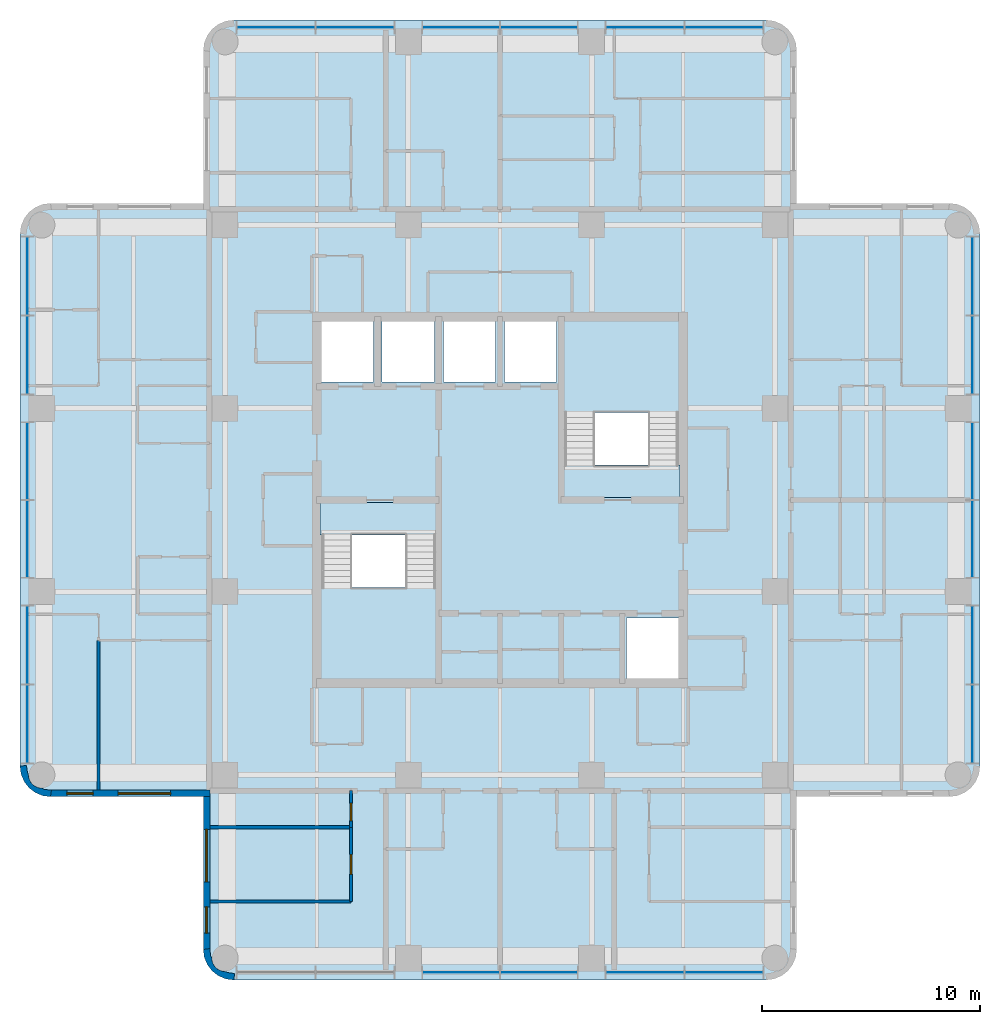
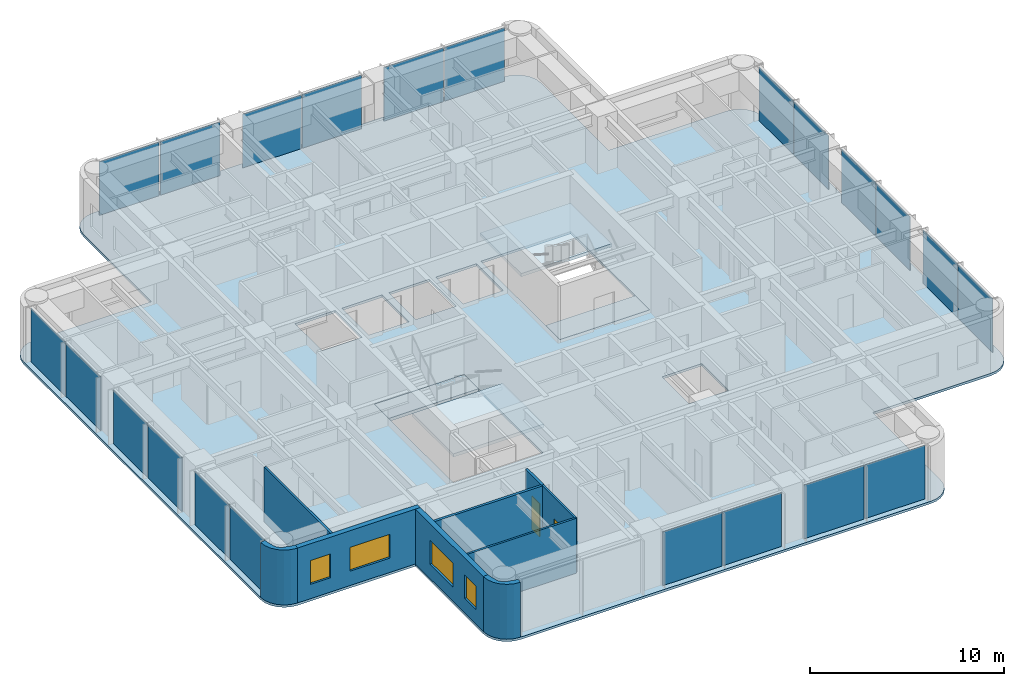
# One storey, part 3 of 10: 22 plates, 9 walls, 5 slabs, 4 windows, 2 doors, 6 openings, 6 elements without a shape of their own.
"""IFC4 building model written with IfcOpenShell, lengths in metres."""

from ifc_helpers import new_model, si_unit, direction, frame, frame_2d, origin, origin_2d, place, context, subcontext, project, spatial, polyline, rectangle, outline, extrude, material, layer, layer_set, type_object, element, fill, aggregate, save


model = new_model("IFC4")

# Units and contexts
model_context = context("Model", 3, precision=1e-05, world=origin(), true_north=direction((0.0, 1.0)))
body_context = subcontext(model_context, "Body", "Model", "MODEL_VIEW")
ifc_project = project(units=[si_unit("LENGTHUNIT", "METRE"), si_unit("AREAUNIT", "SQUARE_METRE"), si_unit("VOLUMEUNIT", "CUBIC_METRE"), si_unit("PLANEANGLEUNIT", "RADIAN"), si_unit("MASSUNIT", "GRAM", prefix="KILO")], contexts=[model_context])

# Site, building, storey
site_placement = place(None, origin())
site = spatial("IfcSite", under=ifc_project, at=site_placement, CompositionType="ELEMENT")
building_placement = place(site_placement, origin())
building = spatial("IfcBuilding", under=site, at=building_placement, Name="Torre Alcanfor", CompositionType="ELEMENT")
storey_placement = place(building_placement, frame((0.0, 0.0, 272.10009765625)))
storey = spatial("IfcBuildingStorey", under=building, at=storey_placement, Name="L71", CompositionType="ELEMENT", Elevation=272.10009765625)

# Curtain wall, plates
ifc_material_1 = material(Name="Aluminium and glass", Category="aluminium")
curtain_wall_type = type_object("IfcCurtainWallType", Name="CW-A unitised apartment glazing with vertical FIN", PredefinedType="NOTDEFINED", material=ifc_material_1)
curtain_wall_1_placement = place(storey_placement, origin())
curtain_wall_1 = element("IfcCurtainWall", 1, at=curtain_wall_1_placement, inside=storey, type_object=curtain_wall_type, Name="Curtain wall CW-A L71 2", PredefinedType="NOTDEFINED")
ifc_material_2 = material(Name="Glass", Category="glass")
ifc_layer_1 = layer(ifc_material_2, 0.028076171875)
ifc_layer_set_1 = layer_set([ifc_layer_1], Name="CW-A clear double glazed unit")
plate_type = type_object("IfcPlateType", Name="CW-A clear double glazed unit", PredefinedType="CURTAIN_PANEL", material=ifc_layer_set_1)
plate_1_placement = place(storey_placement, frame((7.75, 39.664794921875, 0.0), z_axis=(0.0, 0.0, 1.0), x_axis=(0.0, -1.0, 0.0)))
plate_1 = element("IfcPlate", 2, at=plate_1_placement, type_object=plate_type, Name="CW-A panel 1.1.1", PredefinedType="CURTAIN_PANEL", context=body_context, shape_type="SweptSolid", body=[
    extrude(rectangle(XDim=3.55322265625, YDim=0.028076171875, at=origin_2d()), origin(), (0.0, 0.0, 1.0), 3.385009765625),
])
plate_2_placement = place(storey_placement, frame((7.75, 36.046630859375, 0.0), z_axis=(0.0, 0.0, 1.0), x_axis=(0.0, -1.0, 0.0)))
plate_2 = element("IfcPlate", 3, at=plate_2_placement, type_object=plate_type, Name="CW-A panel 1.2.1", PredefinedType="CURTAIN_PANEL", context=body_context, shape_type="SweptSolid", body=[
    extrude(rectangle(XDim=3.55322265625, YDim=0.028076171875, at=origin_2d()), origin(), (0.0, 0.0, 1.0), 3.385009765625),
])
plate_3_placement = place(storey_placement, frame((7.75, 31.18115234375, 0.0), z_axis=(0.0, 0.0, 1.0), x_axis=(0.0, -1.0, 0.0)))
plate_3 = element("IfcPlate", 4, at=plate_3_placement, type_object=plate_type, Name="CW-A panel 2.1.1", PredefinedType="CURTAIN_PANEL", context=body_context, shape_type="SweptSolid", body=[
    extrude(rectangle(XDim=3.49755859375, YDim=0.028076171875, at=origin_2d()), origin(), (0.0, 0.0, 1.0), 3.385009765625),
])
plate_4_placement = place(storey_placement, frame((7.75, 27.61865234375, 0.0), z_axis=(0.0, 0.0, 1.0), x_axis=(0.0, -1.0, 0.0)))
plate_4 = element("IfcPlate", 5, at=plate_4_placement, type_object=plate_type, Name="CW-A panel 2.2.1", PredefinedType="CURTAIN_PANEL", context=body_context, shape_type="SweptSolid", body=[
    extrude(rectangle(XDim=3.49755859375, YDim=0.028076171875, at=origin_2d()), origin(), (0.0, 0.0, 1.0), 3.385009765625),
])
plate_5_placement = place(storey_placement, frame((7.75, 22.75341796875, 0.0), z_axis=(0.0, 0.0, 1.0), x_axis=(0.0, -1.0, 0.0)))
plate_5 = element("IfcPlate", 6, at=plate_5_placement, type_object=plate_type, Name="CW-A panel 3.1.1", PredefinedType="CURTAIN_PANEL", context=body_context, shape_type="SweptSolid", body=[
    extrude(rectangle(XDim=3.55322265625, YDim=0.028076171875, at=origin_2d()), origin(), (0.0, 0.0, 1.0), 3.385009765625),
])
plate_6_placement = place(storey_placement, frame((7.75, 19.135009765625, 0.0), z_axis=(0.0, 0.0, 1.0), x_axis=(0.0, -1.0, 0.0)))
plate_6 = element("IfcPlate", 7, at=plate_6_placement, type_object=plate_type, Name="CW-A panel 3.2.1", PredefinedType="CURTAIN_PANEL", context=body_context, shape_type="SweptSolid", body=[
    extrude(rectangle(XDim=3.55322265625, YDim=0.028076171875, at=origin_2d()), origin(), (0.0, 0.0, 1.0), 3.385009765625),
])
aggregate(curtain_wall_1, [plate_1, plate_2, plate_3, plate_4, plate_5, plate_6])

curtain_wall_2_placement = place(storey_placement, origin())
curtain_wall_2 = element("IfcCurtainWall", 8, at=curtain_wall_2_placement, inside=storey, type_object=curtain_wall_type, Name="Curtain wall CW-A L71 5", PredefinedType="NOTDEFINED")
plate_7_placement = place(storey_placement, frame((27.61865234375, 7.75, 0.0), z_axis=(0.0, 0.0, 1.0), x_axis=(1.0, 0.0, 0.0)))
plate_7 = element("IfcPlate", 9, at=plate_7_placement, type_object=plate_type, Name="CW-A panel 2.1.1", PredefinedType="CURTAIN_PANEL", context=body_context, shape_type="SweptSolid", body=[
    extrude(rectangle(XDim=3.49755859375, YDim=0.028076171875, at=origin_2d()), origin(), (0.0, 0.0, 1.0), 3.385009765625),
])
plate_8_placement = place(storey_placement, frame((31.18115234375, 7.75, 0.0), z_axis=(0.0, 0.0, 1.0), x_axis=(1.0, 0.0, 0.0)))
plate_8 = element("IfcPlate", 10, at=plate_8_placement, type_object=plate_type, Name="CW-A panel 2.2.1", PredefinedType="CURTAIN_PANEL", context=body_context, shape_type="SweptSolid", body=[
    extrude(rectangle(XDim=3.49755859375, YDim=0.028076171875, at=origin_2d()), origin(), (0.0, 0.0, 1.0), 3.385009765625),
])
plate_9_placement = place(storey_placement, frame((36.046630859375, 7.75, 0.0), z_axis=(0.0, 0.0, 1.0), x_axis=(1.0, 0.0, 0.0)))
plate_9 = element("IfcPlate", 11, at=plate_9_placement, type_object=plate_type, Name="CW-A panel 3.1.1", PredefinedType="CURTAIN_PANEL", context=body_context, shape_type="SweptSolid", body=[
    extrude(rectangle(XDim=3.55322265625, YDim=0.028076171875, at=origin_2d()), origin(), (0.0, 0.0, 1.0), 3.385009765625),
])
plate_10_placement = place(storey_placement, frame((39.664794921875, 7.75, 0.0), z_axis=(0.0, 0.0, 1.0), x_axis=(1.0, 0.0, 0.0)))
plate_10 = element("IfcPlate", 12, at=plate_10_placement, type_object=plate_type, Name="CW-A panel 3.2.1", PredefinedType="CURTAIN_PANEL", context=body_context, shape_type="SweptSolid", body=[
    extrude(rectangle(XDim=3.55322265625, YDim=0.028076171875, at=origin_2d()), origin(), (0.0, 0.0, 1.0), 3.385009765625),
])
aggregate(curtain_wall_2, [plate_7, plate_8, plate_9, plate_10])

curtain_wall_3_placement = place(storey_placement, origin())
curtain_wall_3 = element("IfcCurtainWall", 13, at=curtain_wall_3_placement, inside=storey, type_object=curtain_wall_type, Name="Curtain wall CW-A L71 8", PredefinedType="NOTDEFINED")
plate_11_placement = place(storey_placement, frame((51.050048828125, 19.135009765625, 0.0), z_axis=(0.0, 0.0, 1.0), x_axis=(0.0, 1.0, 0.0)))
plate_11 = element("IfcPlate", 14, at=plate_11_placement, type_object=plate_type, Name="CW-A panel 1.1.1", PredefinedType="CURTAIN_PANEL", context=body_context, shape_type="SweptSolid", body=[
    extrude(rectangle(XDim=3.55322265625, YDim=0.028076171875, at=origin_2d()), origin(), (0.0, 0.0, 1.0), 3.385009765625),
])
plate_12_placement = place(storey_placement, frame((51.050048828125, 22.75341796875, 0.0), z_axis=(0.0, 0.0, 1.0), x_axis=(0.0, 1.0, 0.0)))
plate_12 = element("IfcPlate", 15, at=plate_12_placement, type_object=plate_type, Name="CW-A panel 1.2.1", PredefinedType="CURTAIN_PANEL", context=body_context, shape_type="SweptSolid", body=[
    extrude(rectangle(XDim=3.55322265625, YDim=0.028076171875, at=origin_2d()), origin(), (0.0, 0.0, 1.0), 3.385009765625),
])
plate_13_placement = place(storey_placement, frame((51.050048828125, 27.61865234375, 0.0), z_axis=(0.0, 0.0, 1.0), x_axis=(0.0, 1.0, 0.0)))
plate_13 = element("IfcPlate", 16, at=plate_13_placement, type_object=plate_type, Name="CW-A panel 2.1.1", PredefinedType="CURTAIN_PANEL", context=body_context, shape_type="SweptSolid", body=[
    extrude(rectangle(XDim=3.49755859375, YDim=0.028076171875, at=origin_2d()), origin(), (0.0, 0.0, 1.0), 3.385009765625),
])
plate_14_placement = place(storey_placement, frame((51.050048828125, 31.18115234375, 0.0), z_axis=(0.0, 0.0, 1.0), x_axis=(0.0, 1.0, 0.0)))
plate_14 = element("IfcPlate", 17, at=plate_14_placement, type_object=plate_type, Name="CW-A panel 2.2.1", PredefinedType="CURTAIN_PANEL", context=body_context, shape_type="SweptSolid", body=[
    extrude(rectangle(XDim=3.49755859375, YDim=0.028076171875, at=origin_2d()), origin(), (0.0, 0.0, 1.0), 3.385009765625),
])
plate_15_placement = place(storey_placement, frame((51.050048828125, 36.046630859375, 0.0), z_axis=(0.0, 0.0, 1.0), x_axis=(0.0, 1.0, 0.0)))
plate_15 = element("IfcPlate", 18, at=plate_15_placement, type_object=plate_type, Name="CW-A panel 3.1.1", PredefinedType="CURTAIN_PANEL", context=body_context, shape_type="SweptSolid", body=[
    extrude(rectangle(XDim=3.55322265625, YDim=0.028076171875, at=origin_2d()), origin(), (0.0, 0.0, 1.0), 3.385009765625),
])
plate_16_placement = place(storey_placement, frame((51.050048828125, 39.664794921875, 0.0), z_axis=(0.0, 0.0, 1.0), x_axis=(0.0, 1.0, 0.0)))
plate_16 = element("IfcPlate", 19, at=plate_16_placement, type_object=plate_type, Name="CW-A panel 3.2.1", PredefinedType="CURTAIN_PANEL", context=body_context, shape_type="SweptSolid", body=[
    extrude(rectangle(XDim=3.55322265625, YDim=0.028076171875, at=origin_2d()), origin(), (0.0, 0.0, 1.0), 3.385009765625),
])
aggregate(curtain_wall_3, [plate_11, plate_12, plate_13, plate_14, plate_15, plate_16])

curtain_wall_4_placement = place(storey_placement, origin())
curtain_wall_4 = element("IfcCurtainWall", 20, at=curtain_wall_4_placement, inside=storey, type_object=curtain_wall_type, Name="Curtain wall CW-A L71 11", PredefinedType="NOTDEFINED")
plate_17_placement = place(storey_placement, frame((39.664794921875, 51.050048828125, 0.0), z_axis=(0.0, 0.0, 1.0), x_axis=(-1.0, 0.0, 0.0)))
plate_17 = element("IfcPlate", 21, at=plate_17_placement, type_object=plate_type, Name="CW-A panel 1.1.1", PredefinedType="CURTAIN_PANEL", context=body_context, shape_type="SweptSolid", body=[
    extrude(rectangle(XDim=3.55322265625, YDim=0.028076171875, at=origin_2d()), origin(), (0.0, 0.0, 1.0), 3.385009765625),
])
plate_18_placement = place(storey_placement, frame((36.046630859375, 51.050048828125, 0.0), z_axis=(0.0, 0.0, 1.0), x_axis=(-1.0, 0.0, 0.0)))
plate_18 = element("IfcPlate", 22, at=plate_18_placement, type_object=plate_type, Name="CW-A panel 1.2.1", PredefinedType="CURTAIN_PANEL", context=body_context, shape_type="SweptSolid", body=[
    extrude(rectangle(XDim=3.55322265625, YDim=0.028076171875, at=origin_2d()), origin(), (0.0, 0.0, 1.0), 3.385009765625),
])
plate_19_placement = place(storey_placement, frame((31.18115234375, 51.050048828125, 0.0), z_axis=(0.0, 0.0, 1.0), x_axis=(-1.0, 0.0, 0.0)))
plate_19 = element("IfcPlate", 23, at=plate_19_placement, type_object=plate_type, Name="CW-A panel 2.1.1", PredefinedType="CURTAIN_PANEL", context=body_context, shape_type="SweptSolid", body=[
    extrude(rectangle(XDim=3.49755859375, YDim=0.028076171875, at=origin_2d()), origin(), (0.0, 0.0, 1.0), 3.385009765625),
])
plate_20_placement = place(storey_placement, frame((27.61865234375, 51.050048828125, 0.0), z_axis=(0.0, 0.0, 1.0), x_axis=(-1.0, 0.0, 0.0)))
plate_20 = element("IfcPlate", 24, at=plate_20_placement, type_object=plate_type, Name="CW-A panel 2.2.1", PredefinedType="CURTAIN_PANEL", context=body_context, shape_type="SweptSolid", body=[
    extrude(rectangle(XDim=3.49755859375, YDim=0.028076171875, at=origin_2d()), origin(), (0.0, 0.0, 1.0), 3.385009765625),
])
plate_21_placement = place(storey_placement, frame((22.75341796875, 51.050048828125, 0.0), z_axis=(0.0, 0.0, 1.0), x_axis=(-1.0, 0.0, 0.0)))
plate_21 = element("IfcPlate", 25, at=plate_21_placement, type_object=plate_type, Name="CW-A panel 3.1.1", PredefinedType="CURTAIN_PANEL", context=body_context, shape_type="SweptSolid", body=[
    extrude(rectangle(XDim=3.55322265625, YDim=0.028076171875, at=origin_2d()), origin(), (0.0, 0.0, 1.0), 3.385009765625),
])
plate_22_placement = place(storey_placement, frame((19.135009765625, 51.050048828125, 0.0), z_axis=(0.0, 0.0, 1.0), x_axis=(-1.0, 0.0, 0.0)))
plate_22 = element("IfcPlate", 26, at=plate_22_placement, type_object=plate_type, Name="CW-A panel 3.2.1", PredefinedType="CURTAIN_PANEL", context=body_context, shape_type="SweptSolid", body=[
    extrude(rectangle(XDim=3.55322265625, YDim=0.028076171875, at=origin_2d()), origin(), (0.0, 0.0, 1.0), 3.385009765625),
])
aggregate(curtain_wall_4, [plate_17, plate_18, plate_19, plate_20, plate_21, plate_22])

# Slab
ifc_material_3 = material(Name="Concrete f'c 35 MPa", Category="concrete")
ifc_layer_2 = layer(ifc_material_3, 0.14990234375)
ifc_layer_set_2 = layer_set([ifc_layer_2], Name="Composite floor 150 on metal deck")
slab_type_1 = type_object("IfcSlabType", Name="Composite floor 150 on metal deck", PredefinedType="FLOOR", material=ifc_layer_set_2)
slab_1_placement = place(storey_placement, frame((0.0, 0.0, -0.150146484375)))
element("IfcSlab", 27, at=slab_1_placement, inside=storey, type_object=slab_type_1, Name="Floor slab L71", PredefinedType="FLOOR", context=body_context, shape_type="SweptSolid", body=[
    extrude(outline(polyline([(15.800048828125, 43.0), (8.800048828125, 43.0), (8.437744140625, 42.952392578125), (8.10009765625, 42.8125), (7.81005859375, 42.58984375), (7.587646484375, 42.300048828125), (7.44775390625, 41.96240234375), (7.39990234375, 41.60009765625), (7.39990234375, 17.199951171875), (7.44775390625, 16.837646484375), (7.587646484375, 16.5), (7.81005859375, 16.210205078125), (8.10009765625, 15.987548828125), (8.437744140625, 15.84765625), (8.800048828125, 15.800048828125), (15.800048828125, 15.800048828125), (15.800048828125, 8.800048828125), (15.84765625, 8.437744140625), (15.987548828125, 8.10009765625), (16.210205078125, 7.81005859375), (16.5, 7.587646484375), (16.837646484375, 7.44775390625), (17.199951171875, 7.39990234375), (41.60009765625, 7.39990234375), (41.96240234375, 7.44775390625), (42.300048828125, 7.587646484375), (42.58984375, 7.81005859375), (42.8125, 8.10009765625), (42.952392578125, 8.437744140625), (43.0, 8.800048828125), (43.0, 15.800048828125), (50.0, 15.800048828125), (50.3623046875, 15.84765625), (50.699951171875, 15.987548828125), (50.989990234375, 16.210205078125), (51.21240234375, 16.5), (51.352294921875, 16.837646484375), (51.39990234375, 17.199951171875), (51.39990234375, 41.60009765625), (51.352294921875, 41.96240234375), (51.21240234375, 42.300048828125), (50.989990234375, 42.58984375), (50.699951171875, 42.8125), (50.3623046875, 42.952392578125), (50.0, 43.0), (43.0, 43.0), (43.0, 50.0), (42.952392578125, 50.3623046875), (42.8125, 50.699951171875), (42.58984375, 50.989990234375), (42.300048828125, 51.21240234375), (41.96240234375, 51.352294921875), (41.60009765625, 51.39990234375), (17.199951171875, 51.39990234375), (16.837646484375, 51.352294921875), (16.5, 51.21240234375), (16.210205078125, 50.989990234375), (15.987548828125, 50.699951171875), (15.84765625, 50.3623046875), (15.800048828125, 50.0), (15.800048828125, 43.0)]), holes=[polyline([(21.14501953125, 21.14501953125), (26.47998046875, 21.14501953125), (26.47998046875, 29.280029296875), (21.14501953125, 29.280029296875), (21.14501953125, 21.14501953125)]), polyline([(32.320068359375, 29.52001953125), (37.655029296875, 29.52001953125), (37.655029296875, 37.655029296875), (32.320068359375, 37.655029296875), (32.320068359375, 29.52001953125)]), polyline([(35.199951171875, 21.22509765625), (37.574951171875, 21.22509765625), (37.574951171875, 24.0), (35.199951171875, 24.0), (35.199951171875, 21.22509765625)]), polyline([(21.22509765625, 34.800048828125), (23.60009765625, 34.800048828125), (23.60009765625, 37.574951171875), (21.22509765625, 37.574951171875), (21.22509765625, 34.800048828125)]), polyline([(24.0, 34.800048828125), (26.39990234375, 34.800048828125), (26.39990234375, 37.574951171875), (24.0, 37.574951171875), (24.0, 34.800048828125)]), polyline([(26.800048828125, 34.800048828125), (29.199951171875, 34.800048828125), (29.199951171875, 37.574951171875), (26.800048828125, 37.574951171875), (26.800048828125, 34.800048828125)]), polyline([(29.60009765625, 34.800048828125), (32.0, 34.800048828125), (32.0, 37.574951171875), (29.60009765625, 37.574951171875), (29.60009765625, 34.800048828125)])]), origin(), (0.0, 0.0, 1.0), 0.150146484375),
])

# Stair, slabs
ifc_material_4 = material(Name="Concrete f'c 35 MPa", Category="concrete")
stair_type_1 = type_object("IfcStairType", Name="Exit stair S1 1400 wide", PredefinedType="HALF_TURN_STAIR", material=ifc_material_4)
stair_1_placement = place(storey_placement, origin())
stair_1 = element("IfcStair", 28, at=stair_1_placement, inside=storey, type_object=stair_type_1, Name="Stair S1 L71 to L72", PredefinedType="HALF_TURN_STAIR")
ifc_material_5 = material(Name="Concrete f'c 35 MPa", Category="concrete")
ifc_layer_3 = layer(ifc_material_5, 0.199951171875)
ifc_layer_set_3 = layer_set([ifc_layer_3], Name="Stair landing 200")
slab_type_2 = type_object("IfcSlabType", Name="Stair landing 200", PredefinedType="LANDING", material=ifc_layer_set_3)
slab_2_placement = place(storey_placement, frame((0.0, 0.0, -0.2001953125)))
slab_2 = element("IfcSlab", 29, at=slab_2_placement, type_object=slab_type_2, Name="S1 landing 1", PredefinedType="LANDING", context=body_context, shape_type="SweptSolid", body=[
    extrude(outline(polyline([(21.14501953125, 27.800048828125), (26.47998046875, 27.800048828125), (26.47998046875, 29.280029296875), (21.14501953125, 29.280029296875), (21.14501953125, 27.800048828125)])), origin(), (0.0, 0.0, 1.0), 0.2001953125),
])
slab_3_placement = place(storey_placement, frame((0.0, 0.0, 1.599853515625)))
slab_3 = element("IfcSlab", 30, at=slab_3_placement, type_object=slab_type_2, Name="S1 landing 2", PredefinedType="LANDING", context=body_context, shape_type="SweptSolid", body=[
    extrude(outline(polyline([(21.14501953125, 21.14501953125), (26.530029296875, 21.14501953125), (26.530029296875, 25.3798828125), (21.14501953125, 25.3798828125), (21.14501953125, 21.14501953125)])), origin(), (0.0, 0.0, 1.0), 0.199951171875),
])
aggregate(stair_1, [slab_2, slab_3])

ifc_material_6 = material(Name="Concrete f'c 35 MPa", Category="concrete")
stair_type_2 = type_object("IfcStairType", Name="Exit stair S2 1400 wide", PredefinedType="HALF_TURN_STAIR", material=ifc_material_6)
stair_2_placement = place(storey_placement, origin())
stair_2 = element("IfcStair", 31, at=stair_2_placement, inside=storey, type_object=stair_type_2, Name="Stair S2 L71 to L72", PredefinedType="HALF_TURN_STAIR")
slab_4_placement = place(storey_placement, frame((0.0, 0.0, -0.2001953125)))
slab_4 = element("IfcSlab", 32, at=slab_4_placement, type_object=slab_type_2, Name="S2 landing 1", PredefinedType="LANDING", context=body_context, shape_type="SweptSolid", body=[
    extrude(outline(polyline([(32.320068359375, 29.52001953125), (37.655029296875, 29.52001953125), (37.655029296875, 31.0), (32.320068359375, 31.0), (32.320068359375, 29.52001953125)])), origin(), (0.0, 0.0, 1.0), 0.2001953125),
])
slab_5_placement = place(storey_placement, frame((0.0, 0.0, 1.599853515625)))
slab_5 = element("IfcSlab", 33, at=slab_5_placement, type_object=slab_type_2, Name="S2 landing 2", PredefinedType="LANDING", context=body_context, shape_type="SweptSolid", body=[
    extrude(outline(polyline([(32.27001953125, 33.419921875), (37.655029296875, 33.419921875), (37.655029296875, 37.655029296875), (32.27001953125, 37.655029296875), (32.27001953125, 33.419921875)])), origin(), (0.0, 0.0, 1.0), 0.199951171875),
])
aggregate(stair_2, [slab_4, slab_5])

# Wall
ifc_material_7 = material(Name="Gypsum board on steel studs", Category="steel")
ifc_layer_4 = layer(ifc_material_7, 0.1201171875)
ifc_layer_set_4 = layer_set([ifc_layer_4], Name="Apartment partition 120")
wall_type_1 = type_object("IfcWallType", Name="Apartment partition 120", PredefinedType="PARTITIONING", material=ifc_layer_set_4)
wall_1_placement = place(storey_placement, frame((16.10009765625, 11.0, 0.0), z_axis=(0.0, 0.0, 1.0), x_axis=(1.0, 0.0, 0.0)))
element("IfcWall", 34, at=wall_1_placement, inside=storey, type_object=wall_type_1, Name="Partition L71-S2B-LIVING / L71-S2B-MASTER", PredefinedType="PARTITIONING", context=body_context, shape_type="SweptSolid", body=[
    extrude(rectangle(XDim=6.470947265625, YDim=0.1201171875, at=frame_2d((3.2353515625, 0.0))), origin(), (0.0, 0.0, 1.0), 3.449951171875),
])

# Wall, opening, door
wall_2_placement = place(storey_placement, frame((22.571044921875, 11.0, 0.0), z_axis=(0.0, 0.0, 1.0), x_axis=(0.0, 1.0, 0.0)))
wall_2 = element("IfcWall", 35, at=wall_2_placement, inside=storey, type_object=wall_type_1, Name="Partition L71-S2B-LIVING / L71-S2B-MASTER", PredefinedType="PARTITIONING", context=body_context, shape_type="SweptSolid", body=[
    extrude(rectangle(XDim=3.39990234375, YDim=0.1201171875, at=frame_2d((1.699951171875, 0.0))), origin(), (0.0, 0.0, 1.0), 3.449951171875),
])
opening_1_placement = place(wall_2_placement, frame((1.25, 0.0, 0.0)))
opening_1 = element("IfcOpeningElement", 36, at=opening_1_placement, cuts=wall_2, Name="Opening D-R1", PredefinedType="OPENING", context=body_context, shape_type="SweptSolid", body=[
    extrude(rectangle(XDim=0.89990234375, YDim=2.10009765625, at=frame_2d((0.449951171875, 1.050048828125))), frame((0.0, 0.070068359375, 0.0), z_axis=(0.0, -1.0, 0.0), x_axis=(1.0, 0.0, 0.0)), (0.0, 0.0, 1.0), 0.14013671875),
])
ifc_material_8 = material(Name="Timber", Category="wood")
door_type_1 = type_object("IfcDoorType", Name="Internal door 900x2100", OperationType="SINGLE_SWING_LEFT", PredefinedType="DOOR", material=ifc_material_8)
door_1_placement = place(opening_1_placement, origin())
door_1 = element("IfcDoor", 37, at=door_1_placement, inside=storey, type_object=door_type_1, Name="Door L71-S2B master", OperationType="SINGLE_SWING_LEFT", OverallHeight=2.10009765625, OverallWidth=0.89990234375, PredefinedType="DOOR", context=body_context, shape_type="SweptSolid", body=[
    extrude(rectangle(XDim=0.89990234375, YDim=2.10009765625, at=frame_2d((0.449951171875, 1.050048828125))), frame((0.0, 0.02490234375, 0.0), z_axis=(0.0, -1.0, 0.0), x_axis=(1.0, 0.0, 0.0)), (0.0, 0.0, 1.0), 0.050048828125),
])
fill(opening_1, door_1)

# Wall
wall_3_placement = place(storey_placement, frame((11.0, 22.970947265625, 0.0), z_axis=(0.0, 0.0, 1.0), x_axis=(0.0, -1.0, 0.0)))
element("IfcWall", 38, at=wall_3_placement, inside=storey, type_object=wall_type_1, Name="Partition L71-WX-BED2 / L71-WX-MASTER", PredefinedType="PARTITIONING", context=body_context, shape_type="SweptSolid", body=[
    extrude(rectangle(XDim=6.870849609375, YDim=0.1201171875, at=frame_2d((3.435546875, 0.0))), origin(), (0.0, 0.0, 1.0), 3.449951171875),
])

# Wall, openings, windows
ifc_material_9 = material(Name="Limestone cladding", Category="masonry")
ifc_layer_5 = layer(ifc_material_9, 0.0400390625, Name="Facing")
ifc_material_10 = material(Name="Ventilated air cavity")
ifc_layer_6 = layer(ifc_material_10, 0.02001953125, ventilated=True, Name="Ventilated joint")
ifc_material_11 = material(Name="Mineral wool insulation", Category="insulation")
ifc_layer_7 = layer(ifc_material_11, 0.10009765625, Name="Insulation")
ifc_material_12 = material(Name="Concrete f'c 35 MPa", Category="concrete")
ifc_layer_8 = layer(ifc_material_12, 0.139892578125, Name="Backing")
ifc_layer_set_5 = layer_set([ifc_layer_5, ifc_layer_6, ifc_layer_7, ifc_layer_8], Name="External wall stone-clad 300")
wall_type_2 = type_object("IfcWallType", Name="External wall stone-clad 300", PredefinedType="SOLIDWALL", material=ifc_layer_set_5)
wall_4_placement = place(storey_placement, frame((8.800048828125, 15.949951171875, 0.0), z_axis=(0.0, 0.0, 1.0), x_axis=(1.0, 0.0, 0.0)))
wall_4 = element("IfcWall", 39, at=wall_4_placement, inside=storey, type_object=wall_type_2, Name="External wall L71 3", PredefinedType="SOLIDWALL", context=body_context, shape_type="SweptSolid", body=[
    extrude(rectangle(XDim=7.300048828125, YDim=0.300048828125, at=frame_2d((3.64990234375, 0.0))), origin(), (0.0, 0.0, 1.0), 3.449951171875),
])
opening_2_placement = place(wall_4_placement, frame((3.10009765625, 0.0, 0.89990234375)))
opening_2 = element("IfcOpeningElement", 40, at=opening_2_placement, cuts=wall_4, Name="Opening W1", PredefinedType="OPENING", context=body_context, shape_type="SweptSolid", body=[
    extrude(rectangle(XDim=2.39990234375, YDim=1.5, at=frame_2d((1.199951171875, 0.75))), frame((0.0, 0.159912109375, 0.0), z_axis=(0.0, -1.0, 0.0), x_axis=(1.0, 0.0, 0.0)), (0.0, 0.0, 1.0), 0.320068359375),
])
opening_3_placement = place(wall_4_placement, frame((0.75, 0.0, 0.89990234375)))
opening_3 = element("IfcOpeningElement", 41, at=opening_3_placement, cuts=wall_4, Name="Opening W4", PredefinedType="OPENING", context=body_context, shape_type="SweptSolid", body=[
    extrude(rectangle(XDim=1.199951171875, YDim=1.5, at=frame_2d((0.60009765625, 0.75))), frame((0.0, 0.159912109375, 0.0), z_axis=(0.0, -1.0, 0.0), x_axis=(1.0, 0.0, 0.0)), (0.0, 0.0, 1.0), 0.320068359375),
])
ifc_material_13 = material(Name="Aluminium frame with clear double glazing", Category="aluminium")
window_type_1 = type_object("IfcWindowType", Name="Window bedroom 1200x1500", PartitioningType="SINGLE_PANEL", PredefinedType="WINDOW", material=ifc_material_13)
window_1_placement = place(opening_3_placement, origin())
window_1 = element("IfcWindow", 42, at=window_1_placement, inside=storey, type_object=window_type_1, Name="Window W4 L71-W1", OverallHeight=1.5, OverallWidth=1.199951171875, PartitioningType="SINGLE_PANEL", PredefinedType="WINDOW", context=body_context, shape_type="SweptSolid", body=[
    extrude(rectangle(XDim=1.199951171875, YDim=1.5, at=frame_2d((0.60009765625, 0.75))), frame((0.0, 0.030029296875, 0.0), z_axis=(0.0, -1.0, 0.0), x_axis=(1.0, 0.0, 0.0)), (0.0, 0.0, 1.0), 0.06005859375),
])
fill(opening_3, window_1)
ifc_material_14 = material(Name="Aluminium frame with clear double glazing", Category="aluminium")
window_type_2 = type_object("IfcWindowType", Name="Window bedroom 2400x1500", PartitioningType="SINGLE_PANEL", PredefinedType="WINDOW", material=ifc_material_14)
window_2_placement = place(opening_2_placement, origin())
window_2 = element("IfcWindow", 43, at=window_2_placement, inside=storey, type_object=window_type_2, Name="Window W1 L71-W1", OverallHeight=1.5, OverallWidth=2.39990234375, PartitioningType="SINGLE_PANEL", PredefinedType="WINDOW", context=body_context, shape_type="SweptSolid", body=[
    extrude(rectangle(XDim=2.39990234375, YDim=1.5, at=frame_2d((1.199951171875, 0.75))), frame((0.0, 0.030029296875, 0.0), z_axis=(0.0, -1.0, 0.0), x_axis=(1.0, 0.0, 0.0)), (0.0, 0.0, 1.0), 0.06005859375),
])
fill(opening_2, window_2)

wall_5_placement = place(storey_placement, frame((15.949951171875, 15.800048828125, 0.0), z_axis=(0.0, 0.0, 1.0), x_axis=(0.0, -1.0, 0.0)))
wall_5 = element("IfcWall", 44, at=wall_5_placement, inside=storey, type_object=wall_type_2, Name="External wall L71 4", PredefinedType="SOLIDWALL", context=body_context, shape_type="SweptSolid", body=[
    extrude(rectangle(XDim=7.0, YDim=0.300048828125, at=frame_2d((3.5, 0.0))), origin(), (0.0, 0.0, 1.0), 3.449951171875),
])
opening_4_placement = place(wall_5_placement, frame((1.5, 0.0, 0.89990234375)))
opening_4 = element("IfcOpeningElement", 45, at=opening_4_placement, cuts=wall_5, Name="Opening W1", PredefinedType="OPENING", context=body_context, shape_type="SweptSolid", body=[
    extrude(rectangle(XDim=2.39990234375, YDim=1.5, at=frame_2d((1.199951171875, 0.75))), frame((0.0, 0.159912109375, 0.0), z_axis=(0.0, -1.0, 0.0), x_axis=(1.0, 0.0, 0.0)), (0.0, 0.0, 1.0), 0.320068359375),
])
opening_5_placement = place(wall_5_placement, frame((5.050048828125, 0.0, 0.89990234375)))
opening_5 = element("IfcOpeningElement", 46, at=opening_5_placement, cuts=wall_5, Name="Opening W4", PredefinedType="OPENING", context=body_context, shape_type="SweptSolid", body=[
    extrude(rectangle(XDim=1.199951171875, YDim=1.5, at=frame_2d((0.60009765625, 0.75))), frame((0.0, 0.159912109375, 0.0), z_axis=(0.0, -1.0, 0.0), x_axis=(1.0, 0.0, 0.0)), (0.0, 0.0, 1.0), 0.320068359375),
])
window_3_placement = place(opening_5_placement, origin())
window_3 = element("IfcWindow", 47, at=window_3_placement, inside=storey, type_object=window_type_1, Name="Window W4 L71-S2", OverallHeight=1.5, OverallWidth=1.199951171875, PartitioningType="SINGLE_PANEL", PredefinedType="WINDOW", context=body_context, shape_type="SweptSolid", body=[
    extrude(rectangle(XDim=1.199951171875, YDim=1.5, at=frame_2d((0.60009765625, 0.75))), frame((0.0, 0.030029296875, 0.0), z_axis=(0.0, -1.0, 0.0), x_axis=(1.0, 0.0, 0.0)), (0.0, 0.0, 1.0), 0.06005859375),
])
fill(opening_5, window_3)
window_4_placement = place(opening_4_placement, origin())
window_4 = element("IfcWindow", 48, at=window_4_placement, inside=storey, type_object=window_type_2, Name="Window W1 L71-S2", OverallHeight=1.5, OverallWidth=2.39990234375, PartitioningType="SINGLE_PANEL", PredefinedType="WINDOW", context=body_context, shape_type="SweptSolid", body=[
    extrude(rectangle(XDim=2.39990234375, YDim=1.5, at=frame_2d((1.199951171875, 0.75))), frame((0.0, 0.030029296875, 0.0), z_axis=(0.0, -1.0, 0.0), x_axis=(1.0, 0.0, 0.0)), (0.0, 0.0, 1.0), 0.06005859375),
])
fill(opening_4, window_4)

# Walls
ifc_layer_9 = layer(ifc_material_9, 0.0400390625, Name="Facing")
ifc_layer_10 = layer(ifc_material_10, 0.02001953125, ventilated=True, Name="Ventilated joint")
ifc_layer_11 = layer(ifc_material_11, 0.10009765625, Name="Insulation")
ifc_layer_12 = layer(ifc_material_12, 0.139892578125, Name="Backing")
ifc_layer_set_6 = layer_set([ifc_layer_9, ifc_layer_10, ifc_layer_11, ifc_layer_12], Name="Rounded corner pier stone-clad 300")
wall_type_3 = type_object("IfcWallType", Name="Rounded corner pier stone-clad 300", PredefinedType="SOLIDWALL", material=ifc_layer_set_6)
wall_6_placement = place(storey_placement, frame((7.824101883, 17.161581746, 0.0), z_axis=(0.0, 0.0, 1.0), x_axis=(-0.707106781187, -0.707106781187, 0.0)))
element("IfcWall", 49, at=wall_6_placement, inside=storey, type_object=wall_type_3, Name="Corner pier L71 14", PredefinedType="SOLIDWALL", context=body_context, shape_type="SweptSolid", body=[
    extrude(outline(polyline([(0.04667321568762184, 1.4544919802800873), (0.23311738650829356, 1.2117692912302127), (0.29215804060150635, 1.069174027250699), (0.3579314008632433, 1.0034006669889621), (0.4494271513585729, 0.7824297978681659), (0.4494271513585729, 0.5431597786483039), (0.35793140086324327, 0.322534176510509), (0.2921580406015063, 0.256760816248772), (0.23311738650829356, 0.11416555226925829), (0.046673215687621845, -0.12890240376361745), (0.032689902876071465, -0.14288571657516783), (0.2728230895534366, -0.32708565200633144), (0.4951750266062377, -0.037061386285286546), (0.6350081547217414, 0.30060972308993), (0.6826549983759133, 0.6627947882582349), (0.6350081547217414, 1.025325120409541), (0.49517502660623774, 1.3629962297847575), (0.27265045606193605, 1.652847862014302), (0.03251726938457078, 1.4686479265831383), (0.04667321568762184, 1.4544919802800873)])), origin(), (0.0, 0.0, 1.0), 3.449951171875),
])
wall_7_placement = place(storey_placement, frame((16.224101883, 8.761581746, 0.0), z_axis=(0.0, 0.0, 1.0), x_axis=(-0.707106781187, -0.707106781187, 0.0)))
element("IfcWall", 50, at=wall_7_placement, inside=storey, type_object=wall_type_3, Name="Corner pier L71 15", PredefinedType="SOLIDWALL", context=body_context, shape_type="SweptSolid", body=[
    extrude(outline(polyline([(0.032689902876070875, 1.4686824532814384), (0.04667321568762128, 1.4546991404698881), (0.233117386508293, 1.2116311844370125), (0.29215804060150563, 1.0690359204574986), (0.3579314008632426, 1.0032625601957617), (0.44942715135857225, 0.7826369580579667), (0.44942715135857225, 0.5433669388381047), (0.3579314008632426, 0.3223960697173086), (0.29215804060150563, 0.25662270945557164), (0.23311738650829295, 0.11402744547605792), (0.04667321568762121, -0.12869524357381656), (0.03251726938457021, -0.14285118987686757), (0.27265045606193533, -0.3270511253080312), (0.49517502660623713, -0.03719949307848694), (0.6350081547217409, 0.3004716162967297), (0.6826549983759126, 0.6630019484480357), (0.6350081547217409, 1.0251870136163408), (0.495175026606237, 1.362858122991557), (0.27282308955343604, 1.652882388712602), (0.032689902876070875, 1.4686824532814384)])), origin(), (0.0, 0.0, 1.0), 3.449951171875),
])

# Wall, opening, door
ifc_material_15 = material(Name="Cement board on steel studs", Category="steel")
ifc_layer_13 = layer(ifc_material_15, 0.14990234375)
ifc_layer_set_7 = layer_set([ifc_layer_13], Name="Wet area partition 150")
wall_type_4 = type_object("IfcWallType", Name="Wet area partition 150", PredefinedType="PARTITIONING", material=ifc_layer_set_7)
wall_8_placement = place(storey_placement, frame((22.571044921875, 14.39990234375, 0.0), z_axis=(0.0, 0.0, 1.0), x_axis=(0.0, 1.0, 0.0)))
wall_8 = element("IfcWall", 51, at=wall_8_placement, inside=storey, type_object=wall_type_4, Name="Partition L71-S2B-LIVING / L71-S2B-BATH", PredefinedType="PARTITIONING", context=body_context, shape_type="SweptSolid", body=[
    extrude(rectangle(XDim=1.675048828125, YDim=0.14990234375, at=frame_2d((0.83740234375, 0.0))), origin(), (0.0, 0.0, 1.0), 3.449951171875),
])
opening_6_placement = place(wall_8_placement, frame((0.300048828125, 0.0, 0.0)))
opening_6 = element("IfcOpeningElement", 52, at=opening_6_placement, cuts=wall_8, Name="Opening D-R2", PredefinedType="OPENING", context=body_context, shape_type="SweptSolid", body=[
    extrude(rectangle(XDim=0.800048828125, YDim=2.10009765625, at=frame_2d((0.39990234375, 1.050048828125))), frame((0.0, 0.0849609375, 0.0), z_axis=(0.0, -1.0, 0.0), x_axis=(1.0, 0.0, 0.0)), (0.0, 0.0, 1.0), 0.169921875),
])
ifc_material_16 = material(Name="Timber", Category="wood")
door_type_2 = type_object("IfcDoorType", Name="Bathroom door 800x2100", OperationType="SINGLE_SWING_LEFT", PredefinedType="DOOR", material=ifc_material_16)
door_2_placement = place(opening_6_placement, origin())
door_2 = element("IfcDoor", 53, at=door_2_placement, inside=storey, type_object=door_type_2, Name="Door L71-S2B bath", OperationType="SINGLE_SWING_LEFT", OverallHeight=2.10009765625, OverallWidth=0.800048828125, PredefinedType="DOOR", context=body_context, shape_type="SweptSolid", body=[
    extrude(rectangle(XDim=0.800048828125, YDim=2.10009765625, at=frame_2d((0.39990234375, 1.050048828125))), frame((0.0, 0.02490234375, 0.0), z_axis=(0.0, -1.0, 0.0), x_axis=(1.0, 0.0, 0.0)), (0.0, 0.0, 1.0), 0.050048828125),
])
fill(opening_6, door_2)

# Wall
wall_9_placement = place(storey_placement, frame((22.571044921875, 14.39990234375, 0.0), z_axis=(0.0, 0.0, 1.0), x_axis=(-1.0, 0.0, 0.0)))
element("IfcWall", 54, at=wall_9_placement, inside=storey, type_object=wall_type_4, Name="Partition L71-S2B-BATH / L71-S2B-MASTER", PredefinedType="PARTITIONING", context=body_context, shape_type="SweptSolid", body=[
    extrude(rectangle(XDim=6.470947265625, YDim=0.14990234375, at=frame_2d((3.2353515625, 0.0))), origin(), (0.0, 0.0, 1.0), 3.449951171875),
])

save(model, "model.ifc")
